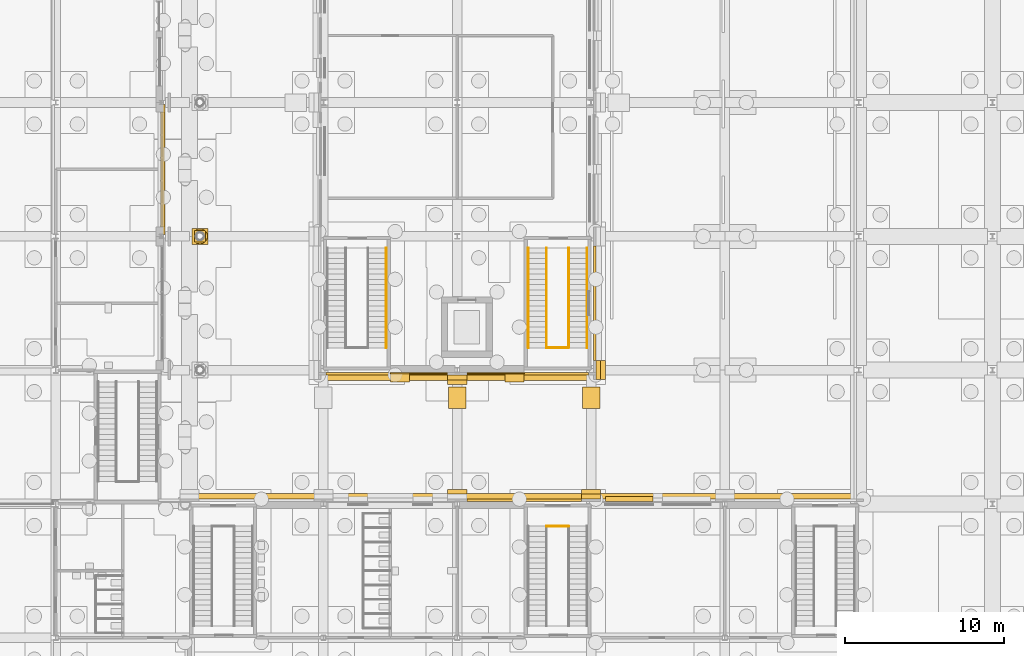
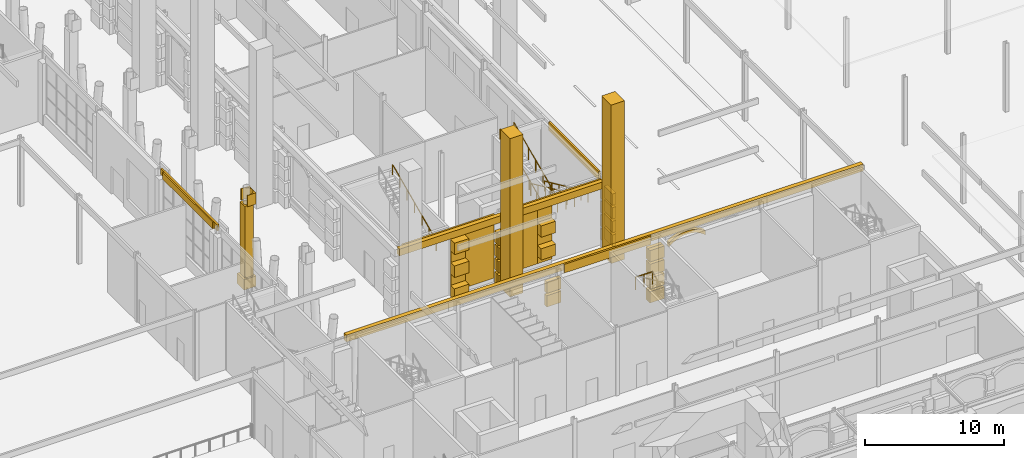
# One storey, part 148 of 222: 52 coverings, 7 railings.
"""IFC4 building model written with IfcOpenShell, lengths in metres."""

from ifc_helpers import new_model, si_unit, direction, frame, origin, origin_2d, place, context, subcontext, project, spatial, polyline, rectangle, circle, outline, extrude, material, layer, layer_set, type_object, element, save


model = new_model("IFC4")

# Units and contexts
model_context = context("Model", 3, precision=1e-05, world=origin(), true_north=direction((0.0, 1.0)))
body_context = subcontext(model_context, "Body", "Model", "MODEL_VIEW")
ifc_project = project(units=[si_unit("LENGTHUNIT", "METRE"), si_unit("AREAUNIT", "SQUARE_METRE"), si_unit("VOLUMEUNIT", "CUBIC_METRE"), si_unit("PLANEANGLEUNIT", "RADIAN"), si_unit("MASSUNIT", "GRAM", prefix="KILO")], contexts=[model_context])

# Site, building, storey
site_placement = place(None, origin())
site = spatial("IfcSite", under=ifc_project, at=site_placement, CompositionType="ELEMENT")
building_placement = place(site_placement, origin())
building = spatial("IfcBuilding", under=site, at=building_placement, Name="Sava Quay Ferry Terminal", CompositionType="ELEMENT")
storey_placement = place(building_placement, origin())
storey = spatial("IfcBuildingStorey", under=building, at=storey_placement, Name="L00", CompositionType="ELEMENT", Elevation=0.0)

# Coverings
ifc_material_1 = material(Name="Limestone Mutalj", Category="masonry")
ifc_layer_1 = layer(ifc_material_1, 0.300048828125)
ifc_layer_set_1 = layer_set([ifc_layer_1], Name="Limestone Mutalj")
covering_type_1 = type_object("IfcCoveringType", Name="Arch band 280", PredefinedType="MOLDING", material=ifc_layer_set_1)
covering_1_placement = place(storey_placement, frame((110.10009765625, 50.56005859375, 4.5), z_axis=(0.0, -1.0, 0.0), x_axis=(0.781923759715, 0.0, 0.623374072281)))
element("IfcCovering", 1, at=covering_1_placement, inside=storey, type_object=covering_type_1, Name="Arch band", PredefinedType="MOLDING", context=body_context, shape_type="SweptSolid", body=[
    extrude(outline(polyline([(0.0, 0.0), (0.3834193343979185, -2.7755575615628914e-17), (0.7215244784021893, -0.05723109819999722), (1.025082280021732, -0.15779635007562864), (1.2992672310674753, -0.2952051775433192), (1.5469709593161145, -0.4658304928504826), (1.7683069472834811, -0.6691383063507048), (1.963352611809143, -0.9058147986260157), (2.129025425761005, -1.1793348664933856), (2.2601508973281392, -1.4961890880363895), (2.3457712791462266, -1.8701222168437752), (2.575427400990079, -1.5820550895462773), (2.464391132924196, -1.2400021530905694), (2.3185031406023544, -0.9416651690212947), (2.144155443320406, -0.6790263644116832), (1.9443918597906626, -0.4482677521537497), (1.7213817715315254, -0.24705983156291944), (1.475352143574657, -0.07433462334636409), (1.2058851115329956, 0.06899208413870384), (0.9110021932435386, 0.1804385992720936), (0.5876595699939753, 0.25618693494582), (0.22965612184385228, 0.288067127297498), (0.0, 0.0)])), origin(), (0.0, 0.0, -1.0), 0.300048828125),
])
ifc_material_2 = material(Name="Limestone Mutalj", Category="masonry")
ifc_layer_2 = layer(ifc_material_2, 0.35009765625)
ifc_layer_set_2 = layer_set([ifc_layer_2], Name="Limestone Mutalj")
covering_type_2 = type_object("IfcCoveringType", Name="Base course 600", PredefinedType="MOLDING", material=ifc_layer_set_2)
covering_2_placement = place(storey_placement, frame((100.800048828125, 58.31494140625, 5.39990234375), z_axis=(0.0, 0.0, 1.0), x_axis=(1.0, 0.0, 0.0)))
element("IfcCovering", 2, at=covering_2_placement, inside=storey, type_object=covering_type_2, Name="Base course O S", PredefinedType="MOLDING", context=body_context, shape_type="SweptSolid", body=[
    extrude(rectangle(XDim=17.39990234375, YDim=0.35009765625, at=origin_2d()), origin(), (0.0, 0.0, 1.0), 0.60009765625),
])
covering_3_placement = place(storey_placement, frame((104.85009765625, 50.885009765625, 5.39990234375), z_axis=(0.0, 0.0, 1.0), x_axis=(1.0, 0.0, 0.0)))
element("IfcCovering", 3, at=covering_3_placement, inside=storey, type_object=covering_type_2, Name="Base course P N", PredefinedType="MOLDING", context=body_context, shape_type="SweptSolid", body=[
    extrude(rectangle(XDim=42.89990234375, YDim=0.35009765625, at=origin_2d()), origin(), (0.0, 0.0, 1.0), 0.60009765625),
])
ifc_material_3 = material(Name="Copper patinated")
ifc_layer_3 = layer(ifc_material_3, 0.25)
ifc_layer_set_3 = layer_set([ifc_layer_3], Name="Copper patinated")
covering_type_3 = type_object("IfcCoveringType", Name="Copper spandrel panel 250", PredefinedType="CLADDING", material=ifc_layer_set_3)
covering_4_placement = place(storey_placement, frame((82.300048828125, 67.800048828125, 5.39990234375), z_axis=(0.0, 0.0, 1.0), x_axis=(0.0, 1.0, 0.0)))
element("IfcCovering", 4, at=covering_4_placement, inside=storey, type_object=covering_type_3, Name="Spandrel panel D-E", PredefinedType="CLADDING", context=body_context, shape_type="SweptSolid", body=[
    extrude(outline(polyline([(0.0, 0.0), (7.199951171875, 0.0), (7.199951171875, 0.60009765625), (0.0, 0.60009765625), (0.0, 0.0)])), frame((0.0, 0.125, 0.0), z_axis=(0.0, -1.0, 0.0), x_axis=(1.0, 0.0, 0.0)), (0.0, 0.0, 1.0), 0.25),
])
ifc_material_4 = material(Name="Limestone Mutalj", Category="masonry")
ifc_layer_4 = layer(ifc_material_4, 0.60009765625)
ifc_layer_set_4 = layer_set([ifc_layer_4], Name="Limestone Mutalj")
covering_type_4 = type_object("IfcCoveringType", Name="Corner quoin block 1200", PredefinedType="CLADDING", material=ifc_layer_set_4)
for number, where, z_axis, x_axis, name in (
    (5, (97.199951171875, 58.340087890625, 0.0), (0.0, 0.0, 1.0), (1.0, 0.0, 0.0), "Corner quoin block"),
    (6, (97.199951171875, 58.340087890625, 2.0), (0.0, 0.0, 1.0), (1.0, 0.0, 0.0), "Corner quoin block"),
    (7, (97.199951171875, 58.340087890625, 4.0), (0.0, 0.0, 1.0), (1.0, 0.0, 0.0), "Corner quoin block"),
    (8, (104.39990234375, 58.340087890625, 1.0), (0.0, 0.0, 1.0), (1.0, 0.0, 0.0), "Corner quoin block"),
    (9, (104.39990234375, 58.340087890625, 3.0), (0.0, 0.0, 1.0), (1.0, 0.0, 0.0), "Corner quoin block"),
):
    element("IfcCovering", number, at=place(storey_placement, frame(where, z_axis=z_axis, x_axis=x_axis)), inside=storey, type_object=covering_type_4, Name=name, PredefinedType="CLADDING", context=body_context, shape_type="SweptSolid", body=[
        extrude(rectangle(XDim=1.199951171875, YDim=0.60009765625, at=origin_2d()), origin(), (0.0, 0.0, 1.0), 1.0),
    ])

# Railings
ifc_material_5 = material(Name="Steel S355", Category="steel")
railing_type_1 = type_object("IfcRailingType", Name="Guard 1100", PredefinedType="GUARDRAIL", material=ifc_material_5)
railing_1_placement = place(storey_placement, frame((106.39990234375, 49.0, 3.0)))
element("IfcRailing", 10, at=railing_1_placement, inside=storey, type_object=railing_type_1, Name="Guard at half landing ST-P3 L00", PredefinedType="GUARDRAIL", context=body_context, shape_type="SweptSolid", body=[
    extrude(circle(Radius=0.02392578125, at=origin_2d()), frame((0.0, 0.0, 1.076171875), z_axis=(1.0, 0.0, 0.0), x_axis=(0.0, 1.0, 0.0)), (0.0, 0.0, 1.0), 1.400146484375),
    extrude(circle(Radius=0.02099609375, at=origin_2d()), origin(), (0.0, 0.0, 1.0), 1.052001953125),
    extrude(circle(Radius=0.02099609375, at=origin_2d()), frame((0.7001953125, 0.0, 0.0)), (0.0, 0.0, 1.0), 1.052001953125),
    extrude(circle(Radius=0.02099609375, at=origin_2d()), frame((1.400146484375, 0.0, 0.0)), (0.0, 0.0, 1.0), 1.052001953125),
])
railing_2_placement = place(storey_placement, frame((107.800048828125, 66.469970703125, 0.14990234375)))
element("IfcRailing", 11, at=railing_2_placement, inside=storey, type_object=railing_type_1, Name="Guard at stair well ST-O2 L00", PredefinedType="GUARDRAIL", context=body_context, shape_type="SweptSolid", body=[
    extrude(circle(Radius=0.02392578125, at=origin_2d()), frame((0.0, 0.0, 1.076171875), z_axis=(0.0, -0.910361621584, 0.413813627068), x_axis=(1.0, 0.0, 0.0)), (0.0, 0.0, 1.0), 6.887451171875),
    extrude(circle(Radius=0.02099609375, at=origin_2d()), origin(), (0.0, 0.0, 1.0), 1.052001953125),
    extrude(circle(Radius=0.02099609375, at=origin_2d()), frame((0.0, -1.044921875, 0.47509765625)), (0.0, 0.0, 1.0), 1.052001953125),
    extrude(circle(Radius=0.02099609375, at=origin_2d()), frame((0.0, -2.090087890625, 0.949951171875)), (0.0, 0.0, 1.0), 1.052001953125),
    extrude(circle(Radius=0.02099609375, at=origin_2d()), frame((0.0, -3.135009765625, 1.425048828125)), (0.0, 0.0, 1.0), 1.052001953125),
    extrude(circle(Radius=0.02099609375, at=origin_2d()), frame((0.0, -4.179931640625, 1.900146484375)), (0.0, 0.0, 1.0), 1.052001953125),
    extrude(circle(Radius=0.02099609375, at=origin_2d()), frame((0.0, -5.22509765625, 2.375)), (0.0, 0.0, 1.0), 1.052001953125),
    extrude(circle(Radius=0.02099609375, at=origin_2d()), frame((0.0, -6.27001953125, 2.85009765625)), (0.0, 0.0, 1.0), 1.052001953125),
])
railing_3_placement = place(storey_placement, frame((106.39990234375, 60.199951171875, 3.14990234375)))
element("IfcRailing", 12, at=railing_3_placement, inside=storey, type_object=railing_type_1, Name="Guard at stair well ST-O2 L00", PredefinedType="GUARDRAIL", context=body_context, shape_type="SweptSolid", body=[
    extrude(circle(Radius=0.02392578125, at=origin_2d()), frame((0.0, 0.0, 1.076171875), z_axis=(0.0, 0.910361621584, 0.413813627068), x_axis=(-1.0, 0.0, 0.0)), (0.0, 0.0, 1.0), 6.887451171875),
    extrude(circle(Radius=0.02099609375, at=origin_2d()), origin(), (0.0, 0.0, 1.0), 1.052001953125),
    extrude(circle(Radius=0.02099609375, at=origin_2d()), frame((0.0, 1.044921875, 0.47509765625)), (0.0, 0.0, 1.0), 1.052001953125),
    extrude(circle(Radius=0.02099609375, at=origin_2d()), frame((0.0, 2.090087890625, 0.949951171875)), (0.0, 0.0, 1.0), 1.052001953125),
    extrude(circle(Radius=0.02099609375, at=origin_2d()), frame((0.0, 3.135009765625, 1.425048828125)), (0.0, 0.0, 1.0), 1.052001953125),
    extrude(circle(Radius=0.02099609375, at=origin_2d()), frame((0.0, 4.179931640625, 1.900146484375)), (0.0, 0.0, 1.0), 1.052001953125),
    extrude(circle(Radius=0.02099609375, at=origin_2d()), frame((0.0, 5.22509765625, 2.375)), (0.0, 0.0, 1.0), 1.052001953125),
    extrude(circle(Radius=0.02099609375, at=origin_2d()), frame((0.0, 6.27001953125, 2.85009765625)), (0.0, 0.0, 1.0), 1.052001953125),
])
railing_4_placement = place(storey_placement, frame((106.39990234375, 60.199951171875, 3.0)))
element("IfcRailing", 13, at=railing_4_placement, inside=storey, type_object=railing_type_1, Name="Guard at half landing ST-O2 L00", PredefinedType="GUARDRAIL", context=body_context, shape_type="SweptSolid", body=[
    extrude(circle(Radius=0.02392578125, at=origin_2d()), frame((0.0, 0.0, 1.076171875), z_axis=(1.0, 0.0, 0.0), x_axis=(0.0, 1.0, 0.0)), (0.0, 0.0, 1.0), 1.400146484375),
    extrude(circle(Radius=0.02099609375, at=origin_2d()), origin(), (0.0, 0.0, 1.0), 1.052001953125),
    extrude(circle(Radius=0.02099609375, at=origin_2d()), frame((0.7001953125, 0.0, 0.0)), (0.0, 0.0, 1.0), 1.052001953125),
    extrude(circle(Radius=0.02099609375, at=origin_2d()), frame((1.400146484375, 0.0, 0.0)), (0.0, 0.0, 1.0), 1.052001953125),
])

# Coverings
ifc_material_6 = material(Name="Limestone Mutalj", Category="masonry")
ifc_layer_5 = layer(ifc_material_6, 0.080078125)
ifc_layer_set_5 = layer_set([ifc_layer_5], Name="Limestone Mutalj")
covering_type_5 = type_object("IfcCoveringType", Name="Light stone cladding 80", PredefinedType="CLADDING", material=ifc_layer_set_5)
for number, where, z_axis, x_axis, name in (
    (14, (97.199951171875, 58.60009765625, 1.0), (0.0, 0.0, 1.0), (1.0, 0.0, 0.0), "Light stone cladding"),
    (15, (97.199951171875, 58.60009765625, 3.0), (0.0, 0.0, 1.0), (1.0, 0.0, 0.0), "Light stone cladding"),
):
    element("IfcCovering", number, at=place(storey_placement, frame(where, z_axis=z_axis, x_axis=x_axis)), inside=storey, type_object=covering_type_5, Name=name, PredefinedType="CLADDING", context=body_context, shape_type="SweptSolid", body=[
        extrude(rectangle(XDim=1.199951171875, YDim=0.080078125, at=origin_2d()), origin(), (0.0, 0.0, 1.0), 1.0),
    ])
for number, where, z_axis, x_axis, name in (
    (16, (99.0, 58.60009765625, 0.3798828125), (0.0, 0.0, 1.0), (1.0, 0.0, 0.0), "Light stone cladding"),
    (17, (102.60009765625, 58.60009765625, 0.3798828125), (0.0, 0.0, 1.0), (1.0, 0.0, 0.0), "Light stone cladding"),
):
    element("IfcCovering", number, at=place(storey_placement, frame(where, z_axis=z_axis, x_axis=x_axis)), inside=storey, type_object=covering_type_5, Name=name, PredefinedType="CLADDING", context=body_context, shape_type="SweptSolid", body=[
        extrude(rectangle(XDim=2.39990234375, YDim=0.080078125, at=origin_2d()), origin(), (0.0, 0.0, 1.0), 4.8701171875),
    ])
covering_5_placement = place(storey_placement, frame((104.39990234375, 58.60009765625, 0.3798828125), z_axis=(0.0, 0.0, 1.0), x_axis=(1.0, 0.0, 0.0)))
element("IfcCovering", 18, at=covering_5_placement, inside=storey, type_object=covering_type_5, Name="Light stone cladding", PredefinedType="CLADDING", context=body_context, shape_type="SweptSolid", body=[
    extrude(rectangle(XDim=1.199951171875, YDim=0.080078125, at=origin_2d()), origin(), (0.0, 0.0, 1.0), 0.6201171875),
])
covering_6_placement = place(storey_placement, frame((104.39990234375, 58.60009765625, 2.0), z_axis=(0.0, 0.0, 1.0), x_axis=(1.0, 0.0, 0.0)))
element("IfcCovering", 19, at=covering_6_placement, inside=storey, type_object=covering_type_5, Name="Light stone cladding", PredefinedType="CLADDING", context=body_context, shape_type="SweptSolid", body=[
    extrude(rectangle(XDim=1.199951171875, YDim=0.080078125, at=origin_2d()), origin(), (0.0, 0.0, 1.0), 1.0),
])
covering_7_placement = place(storey_placement, frame((104.39990234375, 58.60009765625, 4.0), z_axis=(0.0, 0.0, 1.0), x_axis=(1.0, 0.0, 0.0)))
element("IfcCovering", 20, at=covering_7_placement, inside=storey, type_object=covering_type_5, Name="Light stone cladding", PredefinedType="CLADDING", context=body_context, shape_type="SweptSolid", body=[
    extrude(rectangle(XDim=1.199951171875, YDim=0.080078125, at=origin_2d()), origin(), (0.0, 0.0, 1.0), 1.25),
])
ifc_material_7 = material(Name="Limestone Mutalj", Category="masonry")
ifc_layer_6 = layer(ifc_material_7, 0.14990234375)
ifc_layer_set_6 = layer_set([ifc_layer_6], Name="Limestone Mutalj")
covering_type_6 = type_object("IfcCoveringType", Name="Limestone string course 150", PredefinedType="CLADDING", material=ifc_layer_set_6)
covering_8_placement = place(storey_placement, frame((0.0, 0.0, 5.25)))
element("IfcCovering", 21, at=covering_8_placement, inside=storey, type_object=covering_type_6, Name="String course P-N", PredefinedType="CLADDING", context=body_context, shape_type="SweptSolid", body=[
    extrude(outline(polyline([(101.39990234375, 50.56005859375), (108.60009765625, 50.56005859375), (108.60009765625, 50.7099609375), (101.39990234375, 50.7099609375), (101.39990234375, 50.56005859375)])), origin(), (0.0, 0.0, 1.0), 0.75),
])
covering_9_placement = place(storey_placement, frame((0.0, 0.0, 5.25)))
element("IfcCovering", 22, at=covering_9_placement, inside=storey, type_object=covering_type_6, Name="String course O-S", PredefinedType="CLADDING", context=body_context, shape_type="SweptSolid", body=[
    extrude(outline(polyline([(92.550048828125, 58.639892578125), (100.199951171875, 58.639892578125), (100.199951171875, 58.489990234375), (92.550048828125, 58.489990234375), (92.550048828125, 58.639892578125)])), origin(), (0.0, 0.0, 1.0), 0.75),
])
covering_10_placement = place(storey_placement, frame((0.0, 0.0, 5.25)))
element("IfcCovering", 23, at=covering_10_placement, inside=storey, type_object=covering_type_6, Name="String course O-S", PredefinedType="CLADDING", context=body_context, shape_type="SweptSolid", body=[
    extrude(outline(polyline([(101.39990234375, 58.639892578125), (109.050048828125, 58.639892578125), (109.050048828125, 58.489990234375), (101.39990234375, 58.489990234375), (101.39990234375, 58.639892578125)])), origin(), (0.0, 0.0, 1.0), 0.75),
])
covering_11_placement = place(storey_placement, frame((0.0, 0.0, 5.25)))
element("IfcCovering", 24, at=covering_11_placement, inside=storey, type_object=covering_type_6, Name="String course O-E", PredefinedType="CLADDING", context=body_context, shape_type="SweptSolid", body=[
    extrude(outline(polyline([(109.35009765625, 59.39990234375), (109.35009765625, 66.60009765625), (109.5, 66.60009765625), (109.5, 59.39990234375), (109.35009765625, 59.39990234375)])), origin(), (0.0, 0.0, 1.0), 0.75),
])
ifc_material_8 = material(Name="Limestone Mutalj", Category="masonry")
ifc_layer_7 = layer(ifc_material_8, 1.35009765625)
ifc_layer_set_7 = layer_set([ifc_layer_7], Name="Limestone Mutalj")
covering_type_7 = type_object("IfcCoveringType", Name="Portico pier 1100", PredefinedType="CLADDING", material=ifc_layer_set_7)
for number, where, z_axis, x_axis, name in (
    (25, (100.800048828125, 57.06494140625, 0.0), (0.0, 0.0, 1.0), (1.0, 0.0, 0.0), "Portico pier"),
    (26, (109.199951171875, 57.06494140625, 0.0), (0.0, 0.0, 1.0), (1.0, 0.0, 0.0), "Portico pier"),
):
    element("IfcCovering", number, at=place(storey_placement, frame(where, z_axis=z_axis, x_axis=x_axis)), inside=storey, type_object=covering_type_7, Name=name, PredefinedType="CLADDING", context=body_context, shape_type="SweptSolid", body=[
        extrude(rectangle(XDim=1.10009765625, YDim=1.35009765625, at=origin_2d()), origin(), (0.0, 0.0, 1.0), 13.89990234375),
    ])
ifc_material_9 = material(Name="Limestone Mutalj", Category="masonry")
ifc_layer_8 = layer(ifc_material_9, 1.0)
ifc_layer_set_8 = layer_set([ifc_layer_8], Name="Limestone Mutalj")
covering_type_8 = type_object("IfcCoveringType", Name="Post pier capital 1000", PredefinedType="MOLDING", material=ifc_layer_set_8)
covering_12_placement = place(storey_placement, frame((0.0, 0.0, 7.199951171875)))
element("IfcCovering", 27, at=covering_12_placement, inside=storey, type_object=covering_type_8, Name="Post pier capital", PredefinedType="MOLDING", context=body_context, shape_type="SweptSolid", body=[
    extrude(outline(polyline([(85.14990234375, 66.699951171875), (85.14990234375, 67.699951171875), (84.425048828125, 67.699951171875), (84.43505859375, 67.678955078125), (84.451904296875, 67.6259765625), (84.470947265625, 67.635009765625), (84.512939453125, 67.64892578125), (84.55908203125, 67.660888671875), (84.60498046875, 67.66796875), (84.64892578125, 67.669921875), (84.695068359375, 67.66796875), (84.742919921875, 67.660888671875), (84.784912109375, 67.64990234375), (84.8291015625, 67.635009765625), (84.8720703125, 67.614013671875), (84.912109375, 67.590087890625), (84.948974609375, 67.56298828125), (84.98193359375, 67.532958984375), (85.012939453125, 67.4990234375), (85.0400390625, 67.4619140625), (85.06494140625, 67.4208984375), (85.0849609375, 67.37890625), (85.10009765625, 67.3349609375), (85.111083984375, 67.29296875), (85.117919921875, 67.2451171875), (85.1201171875, 67.198974609375), (85.117919921875, 67.155029296875), (85.111083984375, 67.10888671875), (85.10009765625, 67.06494140625), (85.083984375, 67.01904296875), (85.06396484375, 66.97802734375), (85.0400390625, 66.93798828125), (85.012939453125, 66.90087890625), (84.98291015625, 66.867919921875), (84.948974609375, 66.8369140625), (84.912109375, 66.81005859375), (84.8720703125, 66.785888671875), (84.8291015625, 66.764892578125), (84.784912109375, 66.75), (84.742919921875, 66.739013671875), (84.695068359375, 66.73193359375), (84.64892578125, 66.72998046875), (84.60498046875, 66.73193359375), (84.55908203125, 66.739013671875), (84.512939453125, 66.7509765625), (84.470947265625, 66.764892578125), (84.451904296875, 66.77392578125), (84.43505859375, 66.720947265625), (84.425048828125, 66.699951171875), (85.14990234375, 66.699951171875)])), origin(), (0.0, 0.0, 1.0), 1.0),
])
ifc_material_10 = material(Name="Limestone Mutalj", Category="masonry")
ifc_layer_9 = layer(ifc_material_10, 1.0)
ifc_layer_set_9 = layer_set([ifc_layer_9], Name="Limestone Mutalj")
covering_type_9 = type_object("IfcCoveringType", Name="Post pier plinth 1000", PredefinedType="MOLDING", material=ifc_layer_set_9)
covering_13_placement = place(storey_placement, origin())
element("IfcCovering", 28, at=covering_13_placement, inside=storey, type_object=covering_type_9, Name="Post pier plinth", PredefinedType="MOLDING", context=body_context, shape_type="SweptSolid", body=[
    extrude(outline(polyline([(84.14990234375, 66.699951171875), (85.14990234375, 66.699951171875), (85.14990234375, 67.699951171875), (84.14990234375, 67.699951171875), (84.14990234375, 66.699951171875)]), holes=[polyline([(84.89990234375, 67.25), (84.905029296875, 67.199951171875), (84.89990234375, 67.14990234375), (84.885986328125, 67.10205078125), (84.862060546875, 67.05810546875), (84.830078125, 67.02001953125), (84.7919921875, 66.988037109375), (84.748046875, 66.964111328125), (84.699951171875, 66.949951171875), (84.64990234375, 66.945068359375), (84.60009765625, 66.949951171875), (84.552001953125, 66.964111328125), (84.508056640625, 66.988037109375), (84.469970703125, 67.02001953125), (84.43798828125, 67.05810546875), (84.4140625, 67.10205078125), (84.39990234375, 67.14990234375), (84.39501953125, 67.199951171875), (84.39990234375, 67.25), (84.4140625, 67.298095703125), (84.43798828125, 67.342041015625), (84.469970703125, 67.3798828125), (84.508056640625, 67.412109375), (84.552001953125, 67.43603515625), (84.60009765625, 67.449951171875), (84.64990234375, 67.455078125), (84.699951171875, 67.449951171875), (84.748046875, 67.43603515625), (84.7919921875, 67.412109375), (84.830078125, 67.3798828125), (84.862060546875, 67.342041015625), (84.885986328125, 67.298095703125), (84.89990234375, 67.25)])]), origin(), (0.0, 0.0, 1.0), 0.89990234375),
])
ifc_material_11 = material(Name="Limestone Mutalj", Category="masonry")
ifc_layer_10 = layer(ifc_material_11, 0.699951171875)
ifc_layer_set_10 = layer_set([ifc_layer_10], Name="Limestone Mutalj")
covering_type_10 = type_object("IfcCoveringType", Name="Post pier shaft 700", PredefinedType="CLADDING", material=ifc_layer_set_10)
covering_14_placement = place(storey_placement, frame((0.0, 0.0, 0.89990234375)))
element("IfcCovering", 29, at=covering_14_placement, inside=storey, type_object=covering_type_10, Name="Post pier shaft", PredefinedType="CLADDING", context=body_context, shape_type="SweptSolid", body=[
    extrude(outline(polyline([(84.300048828125, 66.85009765625), (85.0, 66.85009765625), (85.0, 67.550048828125), (84.300048828125, 67.550048828125), (84.300048828125, 66.85009765625)]), holes=[polyline([(84.89990234375, 67.25), (84.905029296875, 67.199951171875), (84.89990234375, 67.14990234375), (84.885986328125, 67.10205078125), (84.862060546875, 67.05810546875), (84.830078125, 67.02001953125), (84.7919921875, 66.988037109375), (84.748046875, 66.964111328125), (84.699951171875, 66.949951171875), (84.64990234375, 66.945068359375), (84.60009765625, 66.949951171875), (84.552001953125, 66.964111328125), (84.508056640625, 66.988037109375), (84.469970703125, 67.02001953125), (84.43798828125, 67.05810546875), (84.4140625, 67.10205078125), (84.39990234375, 67.14990234375), (84.39501953125, 67.199951171875), (84.39990234375, 67.25), (84.4140625, 67.298095703125), (84.43798828125, 67.342041015625), (84.469970703125, 67.3798828125), (84.508056640625, 67.412109375), (84.552001953125, 67.43603515625), (84.60009765625, 67.449951171875), (84.64990234375, 67.455078125), (84.699951171875, 67.449951171875), (84.748046875, 67.43603515625), (84.7919921875, 67.412109375), (84.830078125, 67.3798828125), (84.862060546875, 67.342041015625), (84.885986328125, 67.298095703125), (84.89990234375, 67.25)])]), origin(), (0.0, 0.0, 1.0), 6.300048828125),
])
ifc_material_12 = material(Name="Limestone Mutalj", Category="masonry")
ifc_layer_11 = layer(ifc_material_12, 0.300048828125)
ifc_layer_set_11 = layer_set([ifc_layer_11], Name="Limestone Mutalj")
covering_type_11 = type_object("IfcCoveringType", Name="Rusticated course deepening 300", PredefinedType="CLADDING", material=ifc_layer_set_11)
for number, where, z_axis, x_axis, name in (
    (30, (109.949951171875, 58.800048828125, 0.0), (0.0, 0.0, 1.0), (1.0, 0.0, 0.0), "Rusticated course deepening"),
    (31, (109.949951171875, 58.800048828125, 1.199951171875), (0.0, 0.0, 1.0), (1.0, 0.0, 0.0), "Rusticated course deepening"),
    (32, (109.949951171875, 58.800048828125, 2.39990234375), (0.0, 0.0, 1.0), (1.0, 0.0, 0.0), "Rusticated course deepening"),
    (33, (109.949951171875, 58.800048828125, 3.60009765625), (0.0, 0.0, 1.0), (1.0, 0.0, 0.0), "Rusticated course deepening"),
):
    element("IfcCovering", number, at=place(storey_placement, frame(where, z_axis=z_axis, x_axis=x_axis)), inside=storey, type_object=covering_type_11, Name=name, PredefinedType="CLADDING", context=body_context, shape_type="SweptSolid", body=[
        extrude(rectangle(XDim=0.300048828125, YDim=1.199951171875, at=origin_2d()), origin(), (0.0, 0.0, 1.0), 1.0),
    ])
for number, where, z_axis, x_axis, name in (
    (34, (100.800048828125, 58.0400390625, 0.0), (0.0, 0.0, 1.0), (1.0, 0.0, 0.0), "Rusticated course deepening"),
    (35, (100.800048828125, 58.0400390625, 1.199951171875), (0.0, 0.0, 1.0), (1.0, 0.0, 0.0), "Rusticated course deepening"),
    (36, (100.800048828125, 58.0400390625, 2.39990234375), (0.0, 0.0, 1.0), (1.0, 0.0, 0.0), "Rusticated course deepening"),
    (37, (100.800048828125, 58.0400390625, 3.60009765625), (0.0, 0.0, 1.0), (1.0, 0.0, 0.0), "Rusticated course deepening"),
    (38, (100.800048828125, 51.159912109375, 2.39990234375), (0.0, 0.0, 1.0), (1.0, 0.0, 0.0), "Rusticated course deepening"),
    (39, (100.800048828125, 51.159912109375, 3.60009765625), (0.0, 0.0, 1.0), (1.0, 0.0, 0.0), "Rusticated course deepening"),
    (40, (109.199951171875, 51.159912109375, 0.0), (0.0, 0.0, 1.0), (1.0, 0.0, 0.0), "Rusticated course deepening"),
    (41, (109.199951171875, 51.159912109375, 1.199951171875), (0.0, 0.0, 1.0), (1.0, 0.0, 0.0), "Rusticated course deepening"),
    (42, (109.199951171875, 51.159912109375, 2.39990234375), (0.0, 0.0, 1.0), (1.0, 0.0, 0.0), "Rusticated course deepening"),
    (43, (109.199951171875, 51.159912109375, 3.60009765625), (0.0, 0.0, 1.0), (1.0, 0.0, 0.0), "Rusticated course deepening"),
):
    element("IfcCovering", number, at=place(storey_placement, frame(where, z_axis=z_axis, x_axis=x_axis)), inside=storey, type_object=covering_type_11, Name=name, PredefinedType="CLADDING", context=body_context, shape_type="SweptSolid", body=[
        extrude(rectangle(XDim=1.199951171875, YDim=0.300048828125, at=origin_2d()), origin(), (0.0, 0.0, 1.0), 1.0),
    ])
ifc_material_13 = material(Name="Limestone Mutalj", Category="masonry")
ifc_layer_12 = layer(ifc_material_13, 0.300048828125)
ifc_layer_set_12 = layer_set([ifc_layer_12], Name="Limestone Mutalj")
covering_type_12 = type_object("IfcCoveringType", Name="Rusticated pier course 300", PredefinedType="CLADDING", material=ifc_layer_set_12)
for number, where, z_axis, x_axis, name in (
    (44, (109.64990234375, 58.800048828125, 0.0), (0.0, 0.0, 1.0), (1.0, 0.0, 0.0), "Rusticated pier course"),
    (45, (109.64990234375, 58.800048828125, 1.199951171875), (0.0, 0.0, 1.0), (1.0, 0.0, 0.0), "Rusticated pier course"),
    (46, (109.64990234375, 58.800048828125, 2.39990234375), (0.0, 0.0, 1.0), (1.0, 0.0, 0.0), "Rusticated pier course"),
    (47, (109.64990234375, 58.800048828125, 3.60009765625), (0.0, 0.0, 1.0), (1.0, 0.0, 0.0), "Rusticated pier course"),
):
    element("IfcCovering", number, at=place(storey_placement, frame(where, z_axis=z_axis, x_axis=x_axis)), inside=storey, type_object=covering_type_12, Name=name, PredefinedType="CLADDING", context=body_context, shape_type="SweptSolid", body=[
        extrude(rectangle(XDim=0.300048828125, YDim=1.199951171875, at=origin_2d()), origin(), (0.0, 0.0, 1.0), 1.0),
    ])
for number, where, z_axis, x_axis, name in (
    (48, (100.800048828125, 58.340087890625, 0.0), (0.0, 0.0, 1.0), (1.0, 0.0, 0.0), "Rusticated pier course"),
    (49, (100.800048828125, 58.340087890625, 1.199951171875), (0.0, 0.0, 1.0), (1.0, 0.0, 0.0), "Rusticated pier course"),
    (50, (100.800048828125, 58.340087890625, 2.39990234375), (0.0, 0.0, 1.0), (1.0, 0.0, 0.0), "Rusticated pier course"),
    (51, (100.800048828125, 58.340087890625, 3.60009765625), (0.0, 0.0, 1.0), (1.0, 0.0, 0.0), "Rusticated pier course"),
    (52, (109.199951171875, 50.860107421875, 0.0), (0.0, 0.0, 1.0), (1.0, 0.0, 0.0), "Rusticated pier course"),
    (53, (109.199951171875, 50.860107421875, 1.199951171875), (0.0, 0.0, 1.0), (1.0, 0.0, 0.0), "Rusticated pier course"),
    (54, (109.199951171875, 50.860107421875, 2.39990234375), (0.0, 0.0, 1.0), (1.0, 0.0, 0.0), "Rusticated pier course"),
    (55, (109.199951171875, 50.860107421875, 3.60009765625), (0.0, 0.0, 1.0), (1.0, 0.0, 0.0), "Rusticated pier course"),
):
    element("IfcCovering", number, at=place(storey_placement, frame(where, z_axis=z_axis, x_axis=x_axis)), inside=storey, type_object=covering_type_12, Name=name, PredefinedType="CLADDING", context=body_context, shape_type="SweptSolid", body=[
        extrude(rectangle(XDim=1.199951171875, YDim=0.300048828125, at=origin_2d()), origin(), (0.0, 0.0, 1.0), 1.0),
    ])
ifc_material_14 = material(Name="Limestone Mutalj", Category="masonry")
ifc_layer_13 = layer(ifc_material_14, 0.14990234375)
ifc_layer_set_13 = layer_set([ifc_layer_13], Name="Limestone Mutalj")
covering_type_13 = type_object("IfcCoveringType", Name="Slab edge fascia 150", PredefinedType="CLADDING", material=ifc_layer_set_13)
covering_15_placement = place(storey_placement, frame((0.0, 0.0, 5.469970703125)))
element("IfcCovering", 56, at=covering_15_placement, inside=storey, type_object=covering_type_13, Name="Slab edge fascia", PredefinedType="CLADDING", context=body_context, shape_type="SweptSolid", body=[
    extrude(outline(polyline([(82.2880859375, 75.47998046875), (82.2880859375, 67.320068359375), (82.43798828125, 67.320068359375), (82.43798828125, 75.47998046875), (82.2880859375, 75.47998046875)])), origin(), (0.0, 0.0, 1.0), 0.530029296875),
])

# Railings
ifc_material_15 = material(Name="Steel S355", Category="steel")
railing_type_2 = type_object("IfcRailingType", Name="Stair handrail 900", PredefinedType="HANDRAIL", material=ifc_material_15)
railing_5_placement = place(storey_placement, frame((96.340087890625, 60.199951171875, 3.14990234375)))
element("IfcRailing", 57, at=railing_5_placement, inside=storey, type_object=railing_type_2, Name="Handrail ST-O1 L00", PredefinedType="HANDRAIL", context=body_context, shape_type="SweptSolid", body=[
    extrude(circle(Radius=0.02392578125, at=origin_2d()), frame((0.0, 0.0, 0.8759765625), z_axis=(0.0, 0.910361621584, 0.413813627068), x_axis=(-1.0, 0.0, 0.0)), (0.0, 0.0, 1.0), 6.887451171875),
    extrude(circle(Radius=0.02099609375, at=origin_2d()), origin(), (0.0, 0.0, 1.0), 0.851806640625),
    extrude(circle(Radius=0.02099609375, at=origin_2d()), frame((0.0, 1.044921875, 0.47509765625)), (0.0, 0.0, 1.0), 0.851806640625),
    extrude(circle(Radius=0.02099609375, at=origin_2d()), frame((0.0, 2.090087890625, 0.949951171875)), (0.0, 0.0, 1.0), 0.851806640625),
    extrude(circle(Radius=0.02099609375, at=origin_2d()), frame((0.0, 3.135009765625, 1.425048828125)), (0.0, 0.0, 1.0), 0.851806640625),
    extrude(circle(Radius=0.02099609375, at=origin_2d()), frame((0.0, 4.179931640625, 1.900146484375)), (0.0, 0.0, 1.0), 0.851806640625),
    extrude(circle(Radius=0.02099609375, at=origin_2d()), frame((0.0, 5.22509765625, 2.375)), (0.0, 0.0, 1.0), 0.851806640625),
    extrude(circle(Radius=0.02099609375, at=origin_2d()), frame((0.0, 6.27001953125, 2.85009765625)), (0.0, 0.0, 1.0), 0.851806640625),
])
railing_6_placement = place(storey_placement, frame((108.93994140625, 66.469970703125, 0.14990234375)))
element("IfcRailing", 58, at=railing_6_placement, inside=storey, type_object=railing_type_2, Name="Handrail ST-O2 L00", PredefinedType="HANDRAIL", context=body_context, shape_type="SweptSolid", body=[
    extrude(circle(Radius=0.02392578125, at=origin_2d()), frame((0.0, 0.0, 0.8759765625), z_axis=(0.0, -0.910361621584, 0.413813627068), x_axis=(1.0, 0.0, 0.0)), (0.0, 0.0, 1.0), 6.887451171875),
    extrude(circle(Radius=0.02099609375, at=origin_2d()), origin(), (0.0, 0.0, 1.0), 0.851806640625),
    extrude(circle(Radius=0.02099609375, at=origin_2d()), frame((0.0, -1.044921875, 0.47509765625)), (0.0, 0.0, 1.0), 0.851806640625),
    extrude(circle(Radius=0.02099609375, at=origin_2d()), frame((0.0, -2.090087890625, 0.949951171875)), (0.0, 0.0, 1.0), 0.851806640625),
    extrude(circle(Radius=0.02099609375, at=origin_2d()), frame((0.0, -3.135009765625, 1.425048828125)), (0.0, 0.0, 1.0), 0.851806640625),
    extrude(circle(Radius=0.02099609375, at=origin_2d()), frame((0.0, -4.179931640625, 1.900146484375)), (0.0, 0.0, 1.0), 0.851806640625),
    extrude(circle(Radius=0.02099609375, at=origin_2d()), frame((0.0, -5.22509765625, 2.375)), (0.0, 0.0, 1.0), 0.851806640625),
    extrude(circle(Radius=0.02099609375, at=origin_2d()), frame((0.0, -6.27001953125, 2.85009765625)), (0.0, 0.0, 1.0), 0.851806640625),
])
railing_7_placement = place(storey_placement, frame((105.260009765625, 60.199951171875, 3.14990234375)))
element("IfcRailing", 59, at=railing_7_placement, inside=storey, type_object=railing_type_2, Name="Handrail ST-O2 L00", PredefinedType="HANDRAIL", context=body_context, shape_type="SweptSolid", body=[
    extrude(circle(Radius=0.02392578125, at=origin_2d()), frame((0.0, 0.0, 0.8759765625), z_axis=(0.0, 0.910361621584, 0.413813627068), x_axis=(-1.0, 0.0, 0.0)), (0.0, 0.0, 1.0), 6.887451171875),
    extrude(circle(Radius=0.02099609375, at=origin_2d()), origin(), (0.0, 0.0, 1.0), 0.851806640625),
    extrude(circle(Radius=0.02099609375, at=origin_2d()), frame((0.0, 1.044921875, 0.47509765625)), (0.0, 0.0, 1.0), 0.851806640625),
    extrude(circle(Radius=0.02099609375, at=origin_2d()), frame((0.0, 2.090087890625, 0.949951171875)), (0.0, 0.0, 1.0), 0.851806640625),
    extrude(circle(Radius=0.02099609375, at=origin_2d()), frame((0.0, 3.135009765625, 1.425048828125)), (0.0, 0.0, 1.0), 0.851806640625),
    extrude(circle(Radius=0.02099609375, at=origin_2d()), frame((0.0, 4.179931640625, 1.900146484375)), (0.0, 0.0, 1.0), 0.851806640625),
    extrude(circle(Radius=0.02099609375, at=origin_2d()), frame((0.0, 5.22509765625, 2.375)), (0.0, 0.0, 1.0), 0.851806640625),
    extrude(circle(Radius=0.02099609375, at=origin_2d()), frame((0.0, 6.27001953125, 2.85009765625)), (0.0, 0.0, 1.0), 0.851806640625),
])

save(model, "model.ifc")
